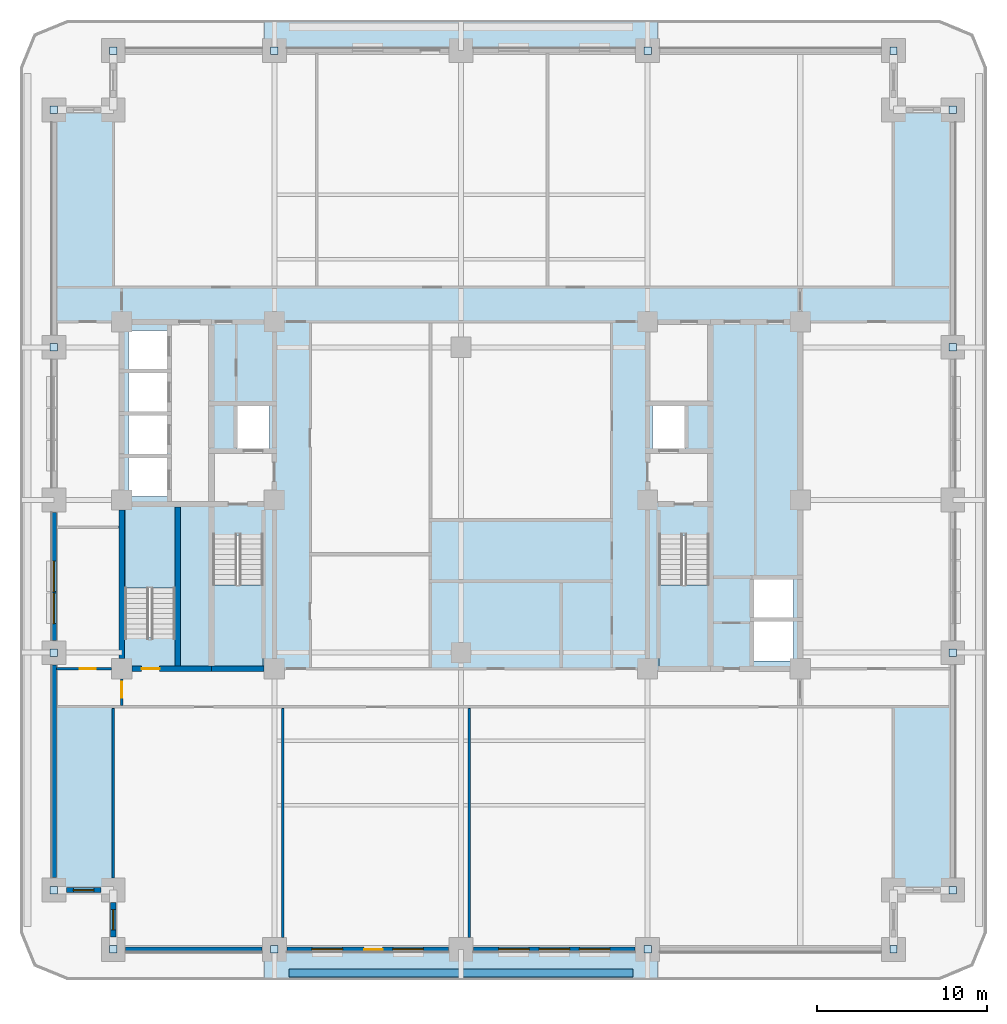
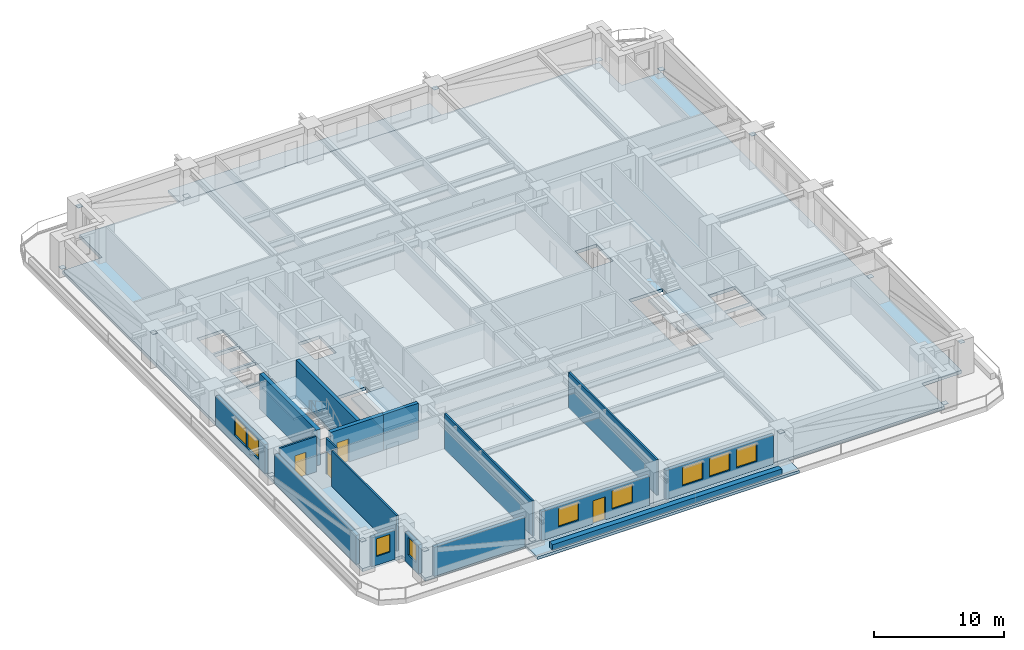
# One storey, part 2 of 13: 17 walls, 16 plates, 9 windows, 6 slabs, 4 doors, 13 openings, 3 elements without a shape of their own.
"""IFC4 building model written with IfcOpenShell, lengths in metres."""

from ifc_helpers import new_model, si_unit, direction, frame, frame_2d, origin, origin_2d, place, context, subcontext, project, spatial, polyline, rectangle, outline, extrude, material, layer, layer_set, type_object, element, fill, aggregate, save


model = new_model("IFC4")

# Units and contexts
model_context = context("Model", 3, precision=1e-05, world=origin(), true_north=direction((0.0, 1.0)))
body_context = subcontext(model_context, "Body", "Model", "MODEL_VIEW")
ifc_project = project(units=[si_unit("LENGTHUNIT", "METRE"), si_unit("AREAUNIT", "SQUARE_METRE"), si_unit("VOLUMEUNIT", "CUBIC_METRE"), si_unit("PLANEANGLEUNIT", "RADIAN"), si_unit("MASSUNIT", "GRAM", prefix="KILO")], contexts=[model_context])

# Site, building, storey
site_placement = place(None, origin())
site = spatial("IfcSite", under=ifc_project, at=site_placement, CompositionType="ELEMENT")
building_placement = place(site_placement, origin())
building = spatial("IfcBuilding", under=site, at=building_placement, Name="Zulmaris Gate Convention Tower", CompositionType="ELEMENT")
storey_placement = place(building_placement, frame((0.0, 0.0, 34.340087890625)))
storey = spatial("IfcBuildingStorey", under=building, at=storey_placement, Name="L07", CompositionType="ELEMENT", Elevation=34.340087890625)

# Plates
ifc_material_1 = material(Name="Steel S460", Category="steel")
ifc_layer_1 = layer(ifc_material_1, 0.02490234375, Name="Steel S460")
ifc_layer_set_1 = layer_set([ifc_layer_1], Name="Steel S460")
plate_type = type_object("IfcPlateType", Name="NP-CAP-440", PredefinedType="USERDEFINED", material=ifc_layer_set_1)
for number, where, z_axis, x_axis, name in (
    (1, (-24.0, -9.0, 0.28759765625), (0.0, 0.0, 1.0), (1.0, 0.0, 0.0), "L07 Steel Node Plate PBR-L07-SW-W-CAP"),
    (2, (-24.0, -23.0, 2.687255859375), (0.0, 0.0, 1.0), (1.0, 0.0, 0.0), "L07 Steel Node Plate PBR-L07-SW-W-CAPB"),
    (3, (-24.0, 23.0, 0.28759765625), (0.0, 0.0, 1.0), (1.0, 0.0, 0.0), "L07 Steel Node Plate PBR-L07-NW-W-CAP"),
    (4, (-24.0, 9.0, 2.687255859375), (0.0, 0.0, 1.0), (1.0, 0.0, 0.0), "L07 Steel Node Plate PBR-L07-NW-W-CAPB"),
    (5, (29.0, -9.0, 0.28759765625), (0.0, 0.0, 1.0), (1.0, 0.0, 0.0), "L07 Steel Node Plate PBR-L07-SE-E-CAP"),
    (6, (29.0, -23.0, 2.687255859375), (0.0, 0.0, 1.0), (1.0, 0.0, 0.0), "L07 Steel Node Plate PBR-L07-SE-E-CAPB"),
    (7, (29.0, 23.0, 0.28759765625), (0.0, 0.0, 1.0), (1.0, 0.0, 0.0), "L07 Steel Node Plate PBR-L07-NE-E-CAP"),
    (8, (29.0, 9.0, 2.687255859375), (0.0, 0.0, 1.0), (1.0, 0.0, 0.0), "L07 Steel Node Plate PBR-L07-NE-E-CAPB"),
    (9, (-11.0, -26.5, 0.28759765625), (0.0, 0.0, 1.0), (1.0, 0.0, 0.0), "L07 Steel Node Plate PBR-L07-SW-S-CAP"),
    (10, (-20.5, -26.5, 2.687255859375), (0.0, 0.0, 1.0), (1.0, 0.0, 0.0), "L07 Steel Node Plate PBR-L07-SW-S-CAPB"),
    (11, (25.5, -26.5, 0.28759765625), (0.0, 0.0, 1.0), (1.0, 0.0, 0.0), "L07 Steel Node Plate PBR-L07-SE-S-CAP"),
    (12, (11.0, -26.5, 2.687255859375), (0.0, 0.0, 1.0), (1.0, 0.0, 0.0), "L07 Steel Node Plate PBR-L07-SE-S-CAPB"),
    (13, (-11.0, 26.5, 0.28759765625), (0.0, 0.0, 1.0), (1.0, 0.0, 0.0), "L07 Steel Node Plate PBR-L07-NW-N-CAP"),
    (14, (-20.5, 26.5, 2.687255859375), (0.0, 0.0, 1.0), (1.0, 0.0, 0.0), "L07 Steel Node Plate PBR-L07-NW-N-CAPB"),
    (15, (25.5, 26.5, 0.28759765625), (0.0, 0.0, 1.0), (1.0, 0.0, 0.0), "L07 Steel Node Plate PBR-L07-NE-N-CAP"),
    (16, (11.0, 26.5, 2.687255859375), (0.0, 0.0, 1.0), (1.0, 0.0, 0.0), "L07 Steel Node Plate PBR-L07-NE-N-CAPB"),
):
    element("IfcPlate", number, at=place(storey_placement, frame(where, z_axis=z_axis, x_axis=x_axis)), inside=storey, type_object=plate_type, Name=name, ObjectType="FLANGE PLATE", PredefinedType="USERDEFINED", context=body_context, shape_type="SweptSolid", body=[
        extrude(rectangle(XDim=0.43994140625, YDim=0.43994140625, at=origin_2d()), origin(), (0.0, 0.0, 1.0), 0.02490234375),
    ])

# Slabs
ifc_material_2 = material(Name="Precast concrete C50/60", Category="concrete")
ifc_layer_2 = layer(ifc_material_2, 0.239990234375, Name="Precast concrete C50/60")
ifc_layer_set_2 = layer_set([ifc_layer_2], Name="Precast concrete C50/60")
slab_type_1 = type_object("IfcSlabType", Name="SL-BAL-240", PredefinedType="FLOOR", material=ifc_layer_set_2)
slab_1_placement = place(storey_placement, frame((0.0, 0.0, -0.300048828125)))
element("IfcSlab", 17, at=slab_1_placement, inside=storey, type_object=slab_type_1, Name="L07 South Tree-Balcony Planter Slab", PredefinedType="FLOOR", context=body_context, shape_type="SweptSolid", body=[
    extrude(outline(polyline([(-11.597900390625, -28.300048828125), (-11.597900390625, -26.5), (11.597900390625, -26.5), (11.597900390625, -28.300048828125), (-11.597900390625, -28.300048828125)])), origin(), (0.0, 0.0, 1.0), 0.260009765625),
])
slab_2_placement = place(storey_placement, frame((0.0, 0.0, -0.300048828125)))
element("IfcSlab", 18, at=slab_2_placement, inside=storey, type_object=slab_type_1, Name="L07 North Tree-Balcony Planter Slab", PredefinedType="FLOOR", context=body_context, shape_type="SweptSolid", body=[
    extrude(outline(polyline([(11.597900390625, 28.300048828125), (11.597900390625, 26.5), (-11.597900390625, 26.5), (-11.597900390625, 28.300048828125), (11.597900390625, 28.300048828125)])), origin(), (0.0, 0.0, 1.0), 0.260009765625),
])
ifc_material_3 = material(Name="Concrete C50/60", Category="concrete")
ifc_layer_3 = layer(ifc_material_3, 0.300048828125, Name="Concrete C50/60")
ifc_layer_set_3 = layer_set([ifc_layer_3], Name="Concrete C50/60")
slab_type_2 = type_object("IfcSlabType", Name="SL-FLR-300", PredefinedType="FLOOR", material=ifc_layer_set_3)
slab_3_placement = place(storey_placement, frame((0.0, 0.0, -0.300048828125)))
element("IfcSlab", 19, at=slab_3_placement, inside=storey, type_object=slab_type_2, Name="L07 Shifted Notched-Square Structural Floor Slab", PredefinedType="FLOOR", context=body_context, shape_type="SweptSolid", body=[
    extrude(outline(polyline([(-20.5, -26.5), (25.5, -26.5), (25.5, -23.0), (29.0, -23.0), (29.0, 23.0), (25.5, 23.0), (25.5, 26.5), (-20.5, 26.5), (-20.5, 23.0), (-24.0, 23.0), (-24.0, -23.0), (-20.5, -23.0), (-20.5, -26.5)]), holes=[polyline([(-14.6201171875, -2.080078125), (-14.6201171875, -9.85009765625), (-11.659912109375, -9.85009765625), (-11.659912109375, -2.080078125), (-14.6201171875, -2.080078125)]), polyline([(11.659912109375, -2.080078125), (11.659912109375, -9.85009765625), (14.6201171875, -9.85009765625), (14.6201171875, -2.080078125), (11.659912109375, -2.080078125)]), polyline([(-16.860107421875, -8.1201171875), (-16.860107421875, -0.35009765625), (-19.820068359375, -0.35009765625), (-19.820068359375, -8.1201171875), (-16.860107421875, -8.1201171875)]), polyline([(-13.199951171875, 3.0), (-11.300048828125, 3.0), (-11.300048828125, 5.60009765625), (-13.199951171875, 5.60009765625), (-13.199951171875, 3.0)]), polyline([(11.300048828125, 3.0), (13.199951171875, 3.0), (13.199951171875, 5.60009765625), (11.300048828125, 5.60009765625), (11.300048828125, 3.0)]), polyline([(-19.60009765625, 0.199951171875), (-17.300048828125, 0.199951171875), (-17.300048828125, 2.5), (-19.60009765625, 2.5), (-19.60009765625, 0.199951171875)]), polyline([(-19.60009765625, 2.699951171875), (-17.300048828125, 2.699951171875), (-17.300048828125, 5.0), (-19.60009765625, 5.0), (-19.60009765625, 2.699951171875)]), polyline([(-19.60009765625, 5.199951171875), (-17.300048828125, 5.199951171875), (-17.300048828125, 7.5), (-19.60009765625, 7.5), (-19.60009765625, 5.199951171875)]), polyline([(-19.60009765625, 7.699951171875), (-17.300048828125, 7.699951171875), (-17.300048828125, 10.0), (-19.60009765625, 10.0), (-19.60009765625, 7.699951171875)]), polyline([(17.199951171875, -9.5), (19.60009765625, -9.5), (19.60009765625, -7.10009765625), (17.199951171875, -7.10009765625), (17.199951171875, -9.5)]), polyline([(17.199951171875, -7.0), (19.60009765625, -7.0), (19.60009765625, -4.60009765625), (17.199951171875, -4.60009765625), (17.199951171875, -7.0)])]), origin(), (0.0, 0.0, 1.0), 0.300048828125),
])

# Stair, slab
ifc_material_4 = material(Name="Concrete C45/55", Category="concrete")
stair_type = type_object("IfcStairType", Name="ST-CORE-DOGLEG", PredefinedType="HALF_TURN_STAIR", material=ifc_material_4)
stair_1_placement = place(storey_placement, origin())
stair_1 = element("IfcStair", 20, at=stair_1_placement, inside=storey, type_object=stair_type, Name="L07 Core Exit Stair ST-1", PredefinedType="HALF_TURN_STAIR")
ifc_layer_4 = layer(ifc_material_4, 0.199951171875, Name="Concrete C45/55")
ifc_layer_set_4 = layer_set([ifc_layer_4], Name="Concrete C45/55")
slab_type_3 = type_object("IfcSlabType", Name="SL-LND-200", PredefinedType="LANDING", material=ifc_layer_set_4)
slab_4_placement = place(storey_placement, frame((0.0, 0.0, 1.5849609375)))
slab_4 = element("IfcSlab", 21, at=slab_4_placement, type_object=slab_type_3, Name="ST-1 landing 1", PredefinedType="LANDING", context=body_context, shape_type="SweptSolid", body=[
    extrude(outline(polyline([(-14.6201171875, -5.0), (-14.6201171875, -9.85009765625), (-11.659912109375, -9.85009765625), (-11.659912109375, -5.0), (-14.6201171875, -5.0)])), origin(), (0.0, 0.0, 1.0), 0.199951171875),
])
aggregate(stair_1, [slab_4])

stair_2_placement = place(storey_placement, origin())
stair_2 = element("IfcStair", 22, at=stair_2_placement, inside=storey, type_object=stair_type, Name="L07 Core Exit Stair ST-2", PredefinedType="HALF_TURN_STAIR")
slab_5_placement = place(storey_placement, frame((0.0, 0.0, 1.5849609375)))
slab_5 = element("IfcSlab", 23, at=slab_5_placement, type_object=slab_type_3, Name="ST-2 landing 1", PredefinedType="LANDING", context=body_context, shape_type="SweptSolid", body=[
    extrude(outline(polyline([(11.659912109375, -5.0), (11.659912109375, -9.85009765625), (14.6201171875, -9.85009765625), (14.6201171875, -5.0), (11.659912109375, -5.0)])), origin(), (0.0, 0.0, 1.0), 0.199951171875),
])
aggregate(stair_2, [slab_5])

stair_3_placement = place(storey_placement, origin())
stair_3 = element("IfcStair", 24, at=stair_3_placement, inside=storey, type_object=stair_type, Name="L07 Core Exit Stair ST-3", PredefinedType="HALF_TURN_STAIR")
slab_6_placement = place(storey_placement, frame((0.0, 0.0, 1.5849609375)))
slab_6 = element("IfcSlab", 25, at=slab_6_placement, type_object=slab_type_3, Name="ST-3 landing 1", PredefinedType="LANDING", context=body_context, shape_type="SweptSolid", body=[
    extrude(outline(polyline([(-16.860107421875, -5.199951171875), (-16.860107421875, -0.35009765625), (-19.820068359375, -0.35009765625), (-19.820068359375, -5.199951171875), (-16.860107421875, -5.199951171875)])), origin(), (0.0, 0.0, 1.0), 0.199951171875),
])
aggregate(stair_3, [slab_6])

# Walls
ifc_layer_5 = layer(ifc_material_3, 0.300048828125, Name="Concrete C50/60")
ifc_layer_set_5 = layer_set([ifc_layer_5], Name="Concrete C50/60")
wall_type_1 = type_object("IfcWallType", Name="CORE-300", PredefinedType="SHEAR", material=ifc_layer_set_5)
wall_1_placement = place(storey_placement, frame((-14.699951171875, -9.949951171875, 0.0), z_axis=(0.0, 0.0, 1.0), x_axis=(1.0, 0.0, 0.0)))
element("IfcWall", 26, at=wall_1_placement, inside=storey, type_object=wall_type_1, Name="WL-L07-002", PredefinedType="SHEAR", context=body_context, shape_type="SweptSolid", body=[
    extrude(rectangle(XDim=3.095947265625, YDim=0.300048828125, at=frame_2d((1.5478515625, 0.0))), origin(), (0.0, 0.0, 1.0), 3.31982421875),
])
wall_2_placement = place(storey_placement, frame((-16.699951171875, -9.77294921875, 0.0), z_axis=(0.0, 0.0, 1.0), x_axis=(0.0, 1.0, 0.0)))
element("IfcWall", 27, at=wall_2_placement, inside=storey, type_object=wall_type_1, Name="WL-L07-043", PredefinedType="SHEAR", context=body_context, shape_type="SweptSolid", body=[
    extrude(rectangle(XDim=9.370849609375, YDim=0.300048828125, at=frame_2d((4.685546875, 0.0))), origin(), (0.0, 0.0, 1.0), 3.31982421875),
])

# Wall, opening, door
ifc_material_5 = material(Name="Concrete C55/67", Category="concrete")
ifc_layer_6 = layer(ifc_material_5, 0.35009765625, Name="Concrete C55/67")
ifc_layer_set_6 = layer_set([ifc_layer_6], Name="Concrete C55/67")
wall_type_2 = type_object("IfcWallType", Name="CORE-350", PredefinedType="SHEAR", material=ifc_layer_set_6)
wall_3_placement = place(storey_placement, frame((-19.39599609375, -9.949951171875, 0.0), z_axis=(0.0, 0.0, 1.0), x_axis=(1.0, 0.0, 0.0)))
wall_3 = element("IfcWall", 28, at=wall_3_placement, inside=storey, type_object=wall_type_2, Name="WL-L07-001", PredefinedType="SHEAR", context=body_context, shape_type="SweptSolid", body=[
    extrude(rectangle(XDim=4.696044921875, YDim=0.35009765625, at=frame_2d((2.34814453125, 0.0))), origin(), (0.0, 0.0, 1.0), 3.31982421875),
])
opening_1_placement = place(wall_3_placement, frame((0.571044921875, 0.0, 0.0)))
opening_1 = element("IfcOpeningElement", 29, at=opening_1_placement, cuts=wall_3, Name="Opening D-09", PredefinedType="OPENING", context=body_context, shape_type="SweptSolid", body=[
    extrude(rectangle(XDim=1.050048828125, YDim=2.14990234375, at=frame_2d((0.52490234375, 1.074951171875))), frame((0.0, 0.18505859375, 0.0), z_axis=(0.0, -1.0, 0.0), x_axis=(1.0, 0.0, 0.0)), (0.0, 0.0, 1.0), 0.3701171875),
])
ifc_material_6 = material(Name="Fire-Rated Steel", Category="steel")
door_type_1 = type_object("IfcDoorType", Name="DR-1050-FD", OperationType="NOTDEFINED", PredefinedType="DOOR", material=ifc_material_6)
door_1_placement = place(opening_1_placement, origin())
door_1 = element("IfcDoor", 30, at=door_1_placement, inside=storey, type_object=door_type_1, Name="L07 Exit Stair ST-3 Door 10", OperationType="SINGLE_SWING_LEFT", OverallHeight=2.14990234375, OverallWidth=1.050048828125, PredefinedType="DOOR", context=body_context, shape_type="SweptSolid", body=[
    extrude(rectangle(XDim=1.050048828125, YDim=2.14990234375, at=frame_2d((0.52490234375, 1.074951171875))), frame((0.0, 0.02490234375, 0.0), z_axis=(0.0, -1.0, 0.0), x_axis=(1.0, 0.0, 0.0)), (0.0, 0.0, 1.0), 0.050048828125),
])
fill(opening_1, door_1)

# Wall
wall_4_placement = place(storey_placement, frame((-20.0, -9.345947265625, 0.0), z_axis=(0.0, 0.0, 1.0), x_axis=(0.0, 1.0, 0.0)))
element("IfcWall", 31, at=wall_4_placement, inside=storey, type_object=wall_type_2, Name="WL-L07-034", PredefinedType="SHEAR", context=body_context, shape_type="SweptSolid", body=[
    extrude(rectangle(XDim=8.741943359375, YDim=0.35009765625, at=frame_2d((4.37109375, 0.0))), origin(), (0.0, 0.0, 1.0), 3.31982421875),
])

# Wall, opening, door
ifc_material_7 = material(Name="Gypsum Metal Stud Partition")
ifc_layer_7 = layer(ifc_material_7, 0.14990234375, Name="Gypsum Metal Stud Partition")
ifc_layer_set_7 = layer_set([ifc_layer_7], Name="Gypsum Metal Stud Partition")
wall_type_3 = type_object("IfcWallType", Name="PART-150", PredefinedType="PARTITIONING", material=ifc_layer_set_7)
wall_5_placement = place(storey_placement, frame((-23.8349609375, -9.949951171875, 0.0), z_axis=(0.0, 0.0, 1.0), x_axis=(1.0, 0.0, 0.0)))
wall_5 = element("IfcWall", 32, at=wall_5_placement, inside=storey, type_object=wall_type_3, Name="WL-L07-021", PredefinedType="PARTITIONING", context=body_context, shape_type="SweptSolid", body=[
    extrude(rectangle(XDim=3.22900390625, YDim=0.14990234375, at=frame_2d((1.614501953125, 0.0))), origin(), (0.0, 0.0, 1.0), 3.31982421875),
])
opening_2_placement = place(wall_5_placement, frame((1.360107421875, 0.0, 0.0)))
opening_2 = element("IfcOpeningElement", 33, at=opening_2_placement, cuts=wall_5, Name="Opening D-11", PredefinedType="OPENING", context=body_context, shape_type="SweptSolid", body=[
    extrude(rectangle(XDim=0.949951171875, YDim=2.14990234375, at=frame_2d((0.47509765625, 1.074951171875))), frame((0.0, 0.0849609375, 0.0), z_axis=(0.0, -1.0, 0.0), x_axis=(1.0, 0.0, 0.0)), (0.0, 0.0, 1.0), 0.169921875),
])
ifc_material_8 = material(Name="Fire-Rated Timber", Category="wood")
door_type_2 = type_object("IfcDoorType", Name="DR-950-FD", OperationType="NOTDEFINED", PredefinedType="DOOR", material=ifc_material_8)
door_2_placement = place(opening_2_placement, origin())
door_2 = element("IfcDoor", 34, at=door_2_placement, inside=storey, type_object=door_type_2, Name="L07 SW Partner Door 39", OperationType="SINGLE_SWING_RIGHT", OverallHeight=2.14990234375, OverallWidth=0.949951171875, PredefinedType="DOOR", context=body_context, shape_type="SweptSolid", body=[
    extrude(rectangle(XDim=0.949951171875, YDim=2.14990234375, at=frame_2d((0.47509765625, 1.074951171875))), frame((0.0, 0.02490234375, 0.0), z_axis=(0.0, -1.0, 0.0), x_axis=(1.0, 0.0, 0.0)), (0.0, 0.0, 1.0), 0.050048828125),
])
fill(opening_2, door_2)

# Wall
wall_6_placement = place(storey_placement, frame((-20.5, -22.2939453125, 0.0), z_axis=(0.0, 0.0, 1.0), x_axis=(0.0, 1.0, 0.0)))
element("IfcWall", 35, at=wall_6_placement, inside=storey, type_object=wall_type_3, Name="WL-L07-069", PredefinedType="PARTITIONING", context=body_context, shape_type="SweptSolid", body=[
    extrude(rectangle(XDim=10.015869140625, YDim=0.14990234375, at=frame_2d((5.0078125, 0.0))), origin(), (0.0, 0.0, 1.0), 3.31982421875),
])

# Wall, opening, door
wall_7_placement = place(storey_placement, frame((-20.0, -12.1220703125, 0.0), z_axis=(0.0, 0.0, 1.0), x_axis=(0.0, 1.0, 0.0)))
wall_7 = element("IfcWall", 36, at=wall_7_placement, inside=storey, type_object=wall_type_3, Name="WL-L07-071", PredefinedType="PARTITIONING", context=body_context, shape_type="SweptSolid", body=[
    extrude(rectangle(XDim=1.566162109375, YDim=0.14990234375, at=frame_2d((0.783203125, 0.0))), origin(), (0.0, 0.0, 1.0), 3.31982421875),
])
opening_3_placement = place(wall_7_placement, frame((0.466064453125, 0.0, 0.0)))
opening_3 = element("IfcOpeningElement", 37, at=opening_3_placement, cuts=wall_7, Name="Opening D-11", PredefinedType="OPENING", context=body_context, shape_type="SweptSolid", body=[
    extrude(rectangle(XDim=0.949951171875, YDim=2.14990234375, at=frame_2d((0.47509765625, 1.074951171875))), frame((0.0, 0.0849609375, 0.0), z_axis=(0.0, -1.0, 0.0), x_axis=(1.0, 0.0, 0.0)), (0.0, 0.0, 1.0), 0.169921875),
])
door_3_placement = place(opening_3_placement, origin())
door_3 = element("IfcDoor", 38, at=door_3_placement, inside=storey, type_object=door_type_2, Name="L07 SW Spur Door 37", OperationType="SINGLE_SWING_RIGHT", OverallHeight=2.14990234375, OverallWidth=0.949951171875, PredefinedType="DOOR", context=body_context, shape_type="SweptSolid", body=[
    extrude(rectangle(XDim=0.949951171875, YDim=2.14990234375, at=frame_2d((0.47509765625, 1.074951171875))), frame((0.0, 0.02490234375, 0.0), z_axis=(0.0, -1.0, 0.0), x_axis=(1.0, 0.0, 0.0)), (0.0, 0.0, 1.0), 0.050048828125),
])
fill(opening_3, door_3)

# Walls
for number, where, z_axis, x_axis, name in (
    (39, (-10.5, -25.7939453125, 0.0), (0.0, 0.0, 1.0), (0.0, 1.0, 0.0), "WL-L07-074"),
    (40, (0.5, -25.7939453125, 0.0), (0.0, 0.0, 1.0), (0.0, 1.0, 0.0), "WL-L07-082"),
):
    element("IfcWall", number, at=place(storey_placement, frame(where, z_axis=z_axis, x_axis=x_axis)), inside=storey, type_object=wall_type_3, Name=name, PredefinedType="PARTITIONING", context=body_context, shape_type="SweptSolid", body=[
        extrude(rectangle(XDim=13.515869140625, YDim=0.14990234375, at=frame_2d((6.7578125, 0.0))), origin(), (0.0, 0.0, 1.0), 3.31982421875),
    ])
ifc_material_9 = material(Name="Botanical Green Glazed Precast Concrete C40/50", Category="concrete")
ifc_layer_8 = layer(ifc_material_9, 0.419921875, Name="Botanical Green Glazed Precast Concrete C40/50")
ifc_layer_set_8 = layer_set([ifc_layer_8], Name="Botanical Green Glazed Precast Concrete C40/50")
wall_type_4 = type_object("IfcWallType", Name="PLANTER-CURB-200", PredefinedType="PARAPET", material=ifc_layer_set_8)
wall_8_placement = place(storey_placement, frame((-10.14990234375, -27.8798828125, -0.0400390625), z_axis=(0.0, 0.0, 1.0), x_axis=(1.0, 0.0, 0.0)))
element("IfcWall", 41, at=wall_8_placement, inside=storey, type_object=wall_type_4, Name="L07 Full-Length Balcony Tree Planter Trough", PredefinedType="PARAPET", context=body_context, shape_type="SweptSolid", body=[
    extrude(rectangle(XDim=20.2998046875, YDim=0.47998046875, at=frame_2d((10.14990234375, 0.0))), origin(), (0.0, 0.0, 1.0), 0.52001953125),
])

# Wall, opening, window
ifc_material_10 = material(Name="Precast concrete C40/50", Category="concrete")
ifc_layer_9 = layer(ifc_material_10, 0.300048828125, Name="Precast concrete C40/50")
ifc_layer_set_9 = layer_set([ifc_layer_9], Name="Precast concrete C40/50")
wall_type_5 = type_object("IfcWallType", Name="PRECAST-PIER-300", PredefinedType="STANDARD", material=ifc_layer_set_9)
wall_9_placement = place(storey_placement, frame((-23.27001953125, -23.0, 0.0), z_axis=(0.0, 0.0, 1.0), x_axis=(1.0, 0.0, 0.0)))
wall_9 = element("IfcWall", 42, at=wall_9_placement, inside=storey, type_object=wall_type_5, Name="EW-L07-NOTCH-SW1_0", PredefinedType="STANDARD", context=body_context, shape_type="SweptSolid", body=[
    extrude(rectangle(XDim=2.0400390625, YDim=0.300048828125, at=frame_2d((1.02001953125, 0.0))), origin(), (0.0, 0.0, 1.0), 2.7119140625),
])
opening_4_placement = place(wall_9_placement, frame((0.419921875, 0.0, 0.820068359375)))
opening_4 = element("IfcOpeningElement", 43, at=opening_4_placement, cuts=wall_9, Name="Opening W-04", PredefinedType="OPENING", context=body_context, shape_type="SweptSolid", body=[
    extrude(rectangle(XDim=1.199951171875, YDim=1.64990234375, at=frame_2d((0.60009765625, 0.824951171875))), frame((0.0, 0.16015625, 0.0), z_axis=(0.0, -1.0, 0.0), x_axis=(1.0, 0.0, 0.0)), (0.0, 0.0, 1.0), 0.320068359375),
])
ifc_material_11 = material(Name="Low-E Laminated Double Glazing in Aluminium Frame", Category="aluminium")
window_type_1 = type_object("IfcWindowType", Name="WIN-1200x2100", PartitioningType="SINGLE_PANEL", PredefinedType="WINDOW", material=ifc_material_11)
window_1_placement = place(opening_4_placement, origin())
window_1 = element("IfcWindow", 44, at=window_1_placement, inside=storey, type_object=window_type_1, Name="WN-EW-L07-NOTCH-SW1_0", OverallHeight=1.64990234375, OverallWidth=1.199951171875, PartitioningType="SINGLE_PANEL", PredefinedType="WINDOW", context=body_context, shape_type="SweptSolid", body=[
    extrude(rectangle(XDim=1.199951171875, YDim=1.64990234375, at=frame_2d((0.60009765625, 0.824951171875))), frame((0.0, 0.030029296875, 0.0), z_axis=(0.0, -1.0, 0.0), x_axis=(1.0, 0.0, 0.0)), (0.0, 0.0, 1.0), 0.06005859375),
])
fill(opening_4, window_1)

wall_10_placement = place(storey_placement, frame((-20.5, -23.72998046875, 0.0), z_axis=(0.0, 0.0, 1.0), x_axis=(0.0, -1.0, 0.0)))
wall_10 = element("IfcWall", 45, at=wall_10_placement, inside=storey, type_object=wall_type_5, Name="EW-L07-NOTCH-SW2_0", PredefinedType="STANDARD", context=body_context, shape_type="SweptSolid", body=[
    extrude(rectangle(XDim=2.0400390625, YDim=0.300048828125, at=frame_2d((1.02001953125, 0.0))), origin(), (0.0, 0.0, 1.0), 2.7119140625),
])
opening_5_placement = place(wall_10_placement, frame((0.419921875, 0.0, 0.820068359375)))
opening_5 = element("IfcOpeningElement", 46, at=opening_5_placement, cuts=wall_10, Name="Opening W-04", PredefinedType="OPENING", context=body_context, shape_type="SweptSolid", body=[
    extrude(rectangle(XDim=1.199951171875, YDim=1.64990234375, at=frame_2d((0.60009765625, 0.824951171875))), frame((0.0, 0.16015625, 0.0), z_axis=(0.0, -1.0, 0.0), x_axis=(1.0, 0.0, 0.0)), (0.0, 0.0, 1.0), 0.320068359375),
])
window_2_placement = place(opening_5_placement, origin())
window_2 = element("IfcWindow", 47, at=window_2_placement, inside=storey, type_object=window_type_1, Name="WN-EW-L07-NOTCH-SW2_0", OverallHeight=1.64990234375, OverallWidth=1.199951171875, PartitioningType="SINGLE_PANEL", PredefinedType="WINDOW", context=body_context, shape_type="SweptSolid", body=[
    extrude(rectangle(XDim=1.199951171875, YDim=1.64990234375, at=frame_2d((0.60009765625, 0.824951171875))), frame((0.0, 0.030029296875, 0.0), z_axis=(0.0, -1.0, 0.0), x_axis=(1.0, 0.0, 0.0)), (0.0, 0.0, 1.0), 0.06005859375),
])
fill(opening_5, window_2)

# Wall
wall_11_placement = place(storey_placement, frame((-19.77001953125, -26.5, 0.0), z_axis=(0.0, 0.0, 1.0), x_axis=(1.0, 0.0, 0.0)))
element("IfcWall", 48, at=wall_11_placement, inside=storey, type_object=wall_type_5, Name="EW-L07-S-0_0", PredefinedType="STANDARD", context=body_context, shape_type="SweptSolid", body=[
    extrude(rectangle(XDim=8.0400390625, YDim=0.300048828125, at=frame_2d((4.02001953125, 0.0))), origin(), (0.0, 0.0, 1.0), 2.7119140625),
])

# Wall, openings, door, windows
wall_12_placement = place(storey_placement, frame((-10.27001953125, -26.5, 0.0), z_axis=(0.0, 0.0, 1.0), x_axis=(1.0, 0.0, 0.0)))
wall_12 = element("IfcWall", 49, at=wall_12_placement, inside=storey, type_object=wall_type_5, Name="EW-L07-S-1_0", PredefinedType="STANDARD", context=body_context, shape_type="SweptSolid", body=[
    extrude(rectangle(XDim=9.5400390625, YDim=0.300048828125, at=frame_2d((4.77001953125, 0.0))), origin(), (0.0, 0.0, 1.0), 2.7119140625),
])
opening_6_placement = place(wall_12_placement, frame((4.554931640625, 0.0, 0.0)))
opening_6 = element("IfcOpeningElement", 50, at=opening_6_placement, cuts=wall_12, Name="Opening D-04", PredefinedType="OPENING", context=body_context, shape_type="SweptSolid", body=[
    extrude(rectangle(XDim=1.10009765625, YDim=2.14990234375, at=frame_2d((0.550048828125, 1.074951171875))), frame((0.0, 0.16015625, 0.0), z_axis=(0.0, -1.0, 0.0), x_axis=(1.0, 0.0, 0.0)), (0.0, 0.0, 1.0), 0.320068359375),
])
opening_7_placement = place(wall_12_placement, frame((1.485107421875, 0.0, 0.780029296875)))
opening_7 = element("IfcOpeningElement", 51, at=opening_7_placement, cuts=wall_12, Name="Opening W-02", PredefinedType="OPENING", context=body_context, shape_type="SweptSolid", body=[
    extrude(rectangle(XDim=1.800048828125, YDim=1.719970703125, at=frame_2d((0.89990234375, 0.85986328125))), frame((0.0, 0.16015625, 0.0), z_axis=(0.0, -1.0, 0.0), x_axis=(1.0, 0.0, 0.0)), (0.0, 0.0, 1.0), 0.320068359375),
])
opening_8_placement = place(wall_12_placement, frame((6.2548828125, 0.0, 0.780029296875)))
opening_8 = element("IfcOpeningElement", 52, at=opening_8_placement, cuts=wall_12, Name="Opening W-02", PredefinedType="OPENING", context=body_context, shape_type="SweptSolid", body=[
    extrude(rectangle(XDim=1.800048828125, YDim=1.719970703125, at=frame_2d((0.89990234375, 0.85986328125))), frame((0.0, 0.16015625, 0.0), z_axis=(0.0, -1.0, 0.0), x_axis=(1.0, 0.0, 0.0)), (0.0, 0.0, 1.0), 0.320068359375),
])
ifc_material_12 = material(Name="Anodised Aluminium and Laminated Glass", Category="aluminium")
door_type_3 = type_object("IfcDoorType", Name="ED-1100", OperationType="SINGLE_SWING_RIGHT", PredefinedType="DOOR", material=ifc_material_12)
door_4_placement = place(opening_6_placement, origin())
door_4 = element("IfcDoor", 53, at=door_4_placement, inside=storey, type_object=door_type_3, Name="L07 S Planted Terrace Door", OperationType="SINGLE_SWING_RIGHT", OverallHeight=2.14990234375, OverallWidth=1.10009765625, PredefinedType="DOOR", context=body_context, shape_type="SweptSolid", body=[
    extrude(rectangle(XDim=1.10009765625, YDim=2.14990234375, at=frame_2d((0.550048828125, 1.074951171875))), frame((0.0, 0.02490234375, 0.0), z_axis=(0.0, -1.0, 0.0), x_axis=(1.0, 0.0, 0.0)), (0.0, 0.0, 1.0), 0.050048828125),
])
fill(opening_6, door_4)
window_type_2 = type_object("IfcWindowType", Name="WIN-1800x2200", PartitioningType="SINGLE_PANEL", PredefinedType="WINDOW", material=ifc_material_11)
window_3_placement = place(opening_7_placement, origin())
window_3 = element("IfcWindow", 54, at=window_3_placement, inside=storey, type_object=window_type_2, Name="WN-EW-L07-S-1_0-1", OverallHeight=1.719970703125, OverallWidth=1.800048828125, PartitioningType="SINGLE_PANEL", PredefinedType="WINDOW", context=body_context, shape_type="SweptSolid", body=[
    extrude(rectangle(XDim=1.800048828125, YDim=1.719970703125, at=frame_2d((0.89990234375, 0.85986328125))), frame((0.0, 0.030029296875, 0.0), z_axis=(0.0, -1.0, 0.0), x_axis=(1.0, 0.0, 0.0)), (0.0, 0.0, 1.0), 0.06005859375),
])
fill(opening_7, window_3)
window_4_placement = place(opening_8_placement, origin())
window_4 = element("IfcWindow", 55, at=window_4_placement, inside=storey, type_object=window_type_2, Name="WN-EW-L07-S-1_0-3", OverallHeight=1.719970703125, OverallWidth=1.800048828125, PartitioningType="SINGLE_PANEL", PredefinedType="WINDOW", context=body_context, shape_type="SweptSolid", body=[
    extrude(rectangle(XDim=1.800048828125, YDim=1.719970703125, at=frame_2d((0.89990234375, 0.85986328125))), frame((0.0, 0.030029296875, 0.0), z_axis=(0.0, -1.0, 0.0), x_axis=(1.0, 0.0, 0.0)), (0.0, 0.0, 1.0), 0.06005859375),
])
fill(opening_8, window_4)

# Wall, openings, windows
wall_13_placement = place(storey_placement, frame((0.72998046875, -26.5, 0.0), z_axis=(0.0, 0.0, 1.0), x_axis=(1.0, 0.0, 0.0)))
wall_13 = element("IfcWall", 56, at=wall_13_placement, inside=storey, type_object=wall_type_5, Name="EW-L07-S-2_0", PredefinedType="STANDARD", context=body_context, shape_type="SweptSolid", body=[
    extrude(rectangle(XDim=9.5400390625, YDim=0.300048828125, at=frame_2d((4.77001953125, 0.0))), origin(), (0.0, 0.0, 1.0), 2.7119140625),
])
opening_9_placement = place(wall_13_placement, frame((1.485107421875, 0.0, 0.780029296875)))
opening_9 = element("IfcOpeningElement", 57, at=opening_9_placement, cuts=wall_13, Name="Opening W-02", PredefinedType="OPENING", context=body_context, shape_type="SweptSolid", body=[
    extrude(rectangle(XDim=1.800048828125, YDim=1.719970703125, at=frame_2d((0.89990234375, 0.85986328125))), frame((0.0, 0.16015625, 0.0), z_axis=(0.0, -1.0, 0.0), x_axis=(1.0, 0.0, 0.0)), (0.0, 0.0, 1.0), 0.320068359375),
])
opening_10_placement = place(wall_13_placement, frame((3.8701171875, 0.0, 0.780029296875)))
opening_10 = element("IfcOpeningElement", 58, at=opening_10_placement, cuts=wall_13, Name="Opening W-02", PredefinedType="OPENING", context=body_context, shape_type="SweptSolid", body=[
    extrude(rectangle(XDim=1.800048828125, YDim=1.719970703125, at=frame_2d((0.89990234375, 0.85986328125))), frame((0.0, 0.16015625, 0.0), z_axis=(0.0, -1.0, 0.0), x_axis=(1.0, 0.0, 0.0)), (0.0, 0.0, 1.0), 0.320068359375),
])
opening_11_placement = place(wall_13_placement, frame((6.2548828125, 0.0, 0.780029296875)))
opening_11 = element("IfcOpeningElement", 59, at=opening_11_placement, cuts=wall_13, Name="Opening W-02", PredefinedType="OPENING", context=body_context, shape_type="SweptSolid", body=[
    extrude(rectangle(XDim=1.800048828125, YDim=1.719970703125, at=frame_2d((0.89990234375, 0.85986328125))), frame((0.0, 0.16015625, 0.0), z_axis=(0.0, -1.0, 0.0), x_axis=(1.0, 0.0, 0.0)), (0.0, 0.0, 1.0), 0.320068359375),
])
window_5_placement = place(opening_9_placement, origin())
window_5 = element("IfcWindow", 60, at=window_5_placement, inside=storey, type_object=window_type_2, Name="WN-EW-L07-S-2_0-1", OverallHeight=1.719970703125, OverallWidth=1.800048828125, PartitioningType="SINGLE_PANEL", PredefinedType="WINDOW", context=body_context, shape_type="SweptSolid", body=[
    extrude(rectangle(XDim=1.800048828125, YDim=1.719970703125, at=frame_2d((0.89990234375, 0.85986328125))), frame((0.0, 0.030029296875, 0.0), z_axis=(0.0, -1.0, 0.0), x_axis=(1.0, 0.0, 0.0)), (0.0, 0.0, 1.0), 0.06005859375),
])
fill(opening_9, window_5)
window_6_placement = place(opening_10_placement, origin())
window_6 = element("IfcWindow", 61, at=window_6_placement, inside=storey, type_object=window_type_2, Name="WN-EW-L07-S-2_0-2", OverallHeight=1.719970703125, OverallWidth=1.800048828125, PartitioningType="SINGLE_PANEL", PredefinedType="WINDOW", context=body_context, shape_type="SweptSolid", body=[
    extrude(rectangle(XDim=1.800048828125, YDim=1.719970703125, at=frame_2d((0.89990234375, 0.85986328125))), frame((0.0, 0.030029296875, 0.0), z_axis=(0.0, -1.0, 0.0), x_axis=(1.0, 0.0, 0.0)), (0.0, 0.0, 1.0), 0.06005859375),
])
fill(opening_10, window_6)
window_7_placement = place(opening_11_placement, origin())
window_7 = element("IfcWindow", 62, at=window_7_placement, inside=storey, type_object=window_type_2, Name="WN-EW-L07-S-2_0-3", OverallHeight=1.719970703125, OverallWidth=1.800048828125, PartitioningType="SINGLE_PANEL", PredefinedType="WINDOW", context=body_context, shape_type="SweptSolid", body=[
    extrude(rectangle(XDim=1.800048828125, YDim=1.719970703125, at=frame_2d((0.89990234375, 0.85986328125))), frame((0.0, 0.030029296875, 0.0), z_axis=(0.0, -1.0, 0.0), x_axis=(1.0, 0.0, 0.0)), (0.0, 0.0, 1.0), 0.06005859375),
])
fill(opening_11, window_7)

# Wall
wall_14_placement = place(storey_placement, frame((-24.0, -9.72998046875, 0.0), z_axis=(0.0, 0.0, 1.0), x_axis=(0.0, -1.0, 0.0)))
element("IfcWall", 63, at=wall_14_placement, inside=storey, type_object=wall_type_5, Name="EW-L07-W-0_0", PredefinedType="STANDARD", context=body_context, shape_type="SweptSolid", body=[
    extrude(rectangle(XDim=12.5400390625, YDim=0.300048828125, at=frame_2d((6.27001953125, 0.0))), origin(), (0.0, 0.0, 1.0), 2.7119140625),
])

# Wall, openings, windows
wall_15_placement = place(storey_placement, frame((-24.0, -0.72998046875, 0.0), z_axis=(0.0, 0.0, 1.0), x_axis=(0.0, -1.0, 0.0)))
wall_15 = element("IfcWall", 64, at=wall_15_placement, inside=storey, type_object=wall_type_5, Name="EW-L07-W-1_0", PredefinedType="STANDARD", context=body_context, shape_type="SweptSolid", body=[
    extrude(rectangle(XDim=7.5400390625, YDim=0.300048828125, at=frame_2d((3.77001953125, 0.0))), origin(), (0.0, 0.0, 1.0), 2.7119140625),
])
opening_12_placement = place(wall_15_placement, frame((2.8701171875, 0.0, 0.780029296875)))
opening_12 = element("IfcOpeningElement", 65, at=opening_12_placement, cuts=wall_15, Name="Opening W-02", PredefinedType="OPENING", context=body_context, shape_type="SweptSolid", body=[
    extrude(rectangle(XDim=1.800048828125, YDim=1.719970703125, at=frame_2d((0.89990234375, 0.85986328125))), frame((0.0, 0.16015625, 0.0), z_axis=(0.0, -1.0, 0.0), x_axis=(1.0, 0.0, 0.0)), (0.0, 0.0, 1.0), 0.320068359375),
])
opening_13_placement = place(wall_15_placement, frame((4.7548828125, 0.0, 0.780029296875)))
opening_13 = element("IfcOpeningElement", 66, at=opening_13_placement, cuts=wall_15, Name="Opening W-02", PredefinedType="OPENING", context=body_context, shape_type="SweptSolid", body=[
    extrude(rectangle(XDim=1.800048828125, YDim=1.719970703125, at=frame_2d((0.89990234375, 0.85986328125))), frame((0.0, 0.16015625, 0.0), z_axis=(0.0, -1.0, 0.0), x_axis=(1.0, 0.0, 0.0)), (0.0, 0.0, 1.0), 0.320068359375),
])
window_8_placement = place(opening_12_placement, origin())
window_8 = element("IfcWindow", 67, at=window_8_placement, inside=storey, type_object=window_type_2, Name="WN-EW-L07-W-1_0-2", OverallHeight=1.719970703125, OverallWidth=1.800048828125, PartitioningType="SINGLE_PANEL", PredefinedType="WINDOW", context=body_context, shape_type="SweptSolid", body=[
    extrude(rectangle(XDim=1.800048828125, YDim=1.719970703125, at=frame_2d((0.89990234375, 0.85986328125))), frame((0.0, 0.030029296875, 0.0), z_axis=(0.0, -1.0, 0.0), x_axis=(1.0, 0.0, 0.0)), (0.0, 0.0, 1.0), 0.06005859375),
])
fill(opening_12, window_8)
window_9_placement = place(opening_13_placement, origin())
window_9 = element("IfcWindow", 68, at=window_9_placement, inside=storey, type_object=window_type_2, Name="WN-EW-L07-W-1_0-3", OverallHeight=1.719970703125, OverallWidth=1.800048828125, PartitioningType="SINGLE_PANEL", PredefinedType="WINDOW", context=body_context, shape_type="SweptSolid", body=[
    extrude(rectangle(XDim=1.800048828125, YDim=1.719970703125, at=frame_2d((0.89990234375, 0.85986328125))), frame((0.0, 0.030029296875, 0.0), z_axis=(0.0, -1.0, 0.0), x_axis=(1.0, 0.0, 0.0)), (0.0, 0.0, 1.0), 0.06005859375),
])
fill(opening_13, window_9)

save(model, "model.ifc")
